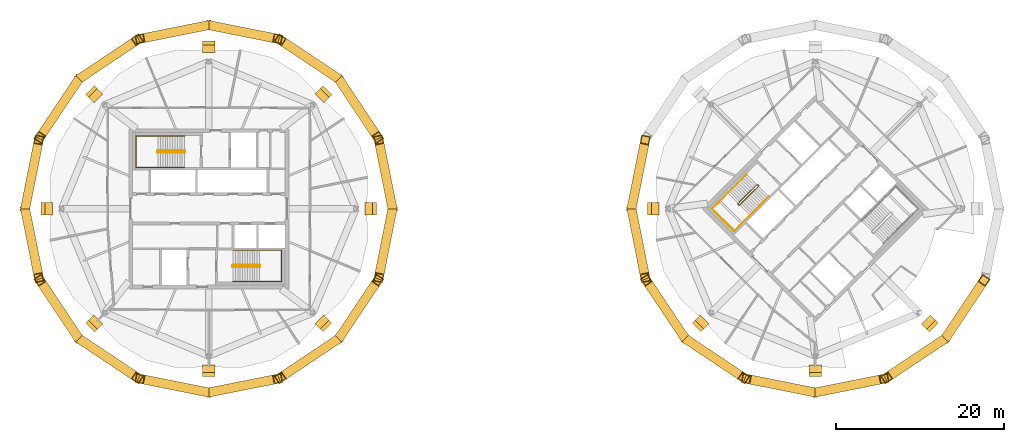
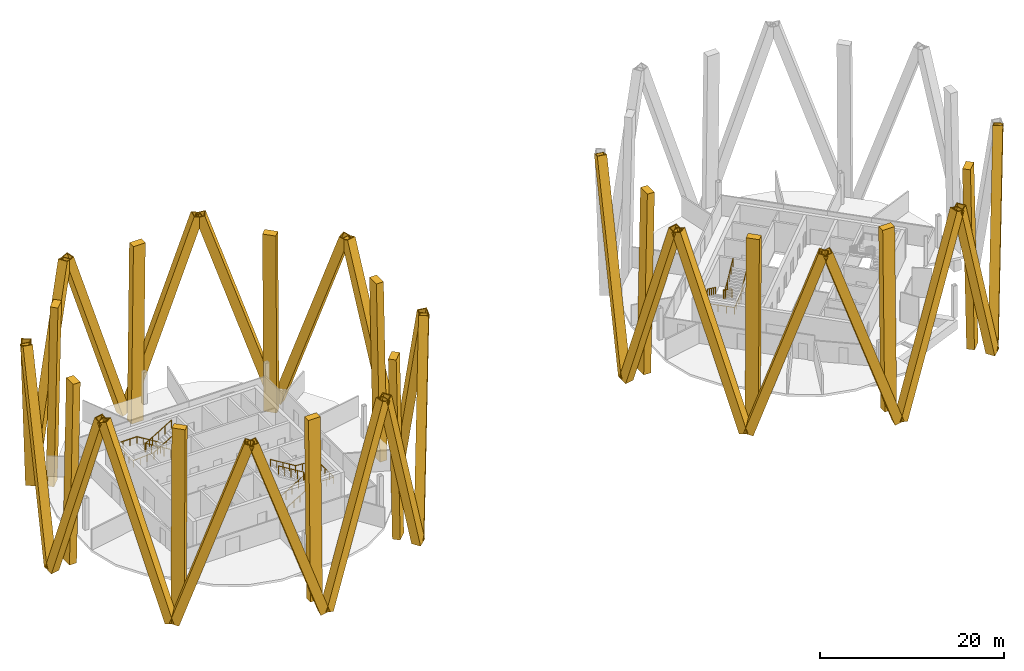
# One storey, part 10 of 11: 36 coverings, 6 railings.
"""IFC4 building model written with IfcOpenShell, lengths in metres."""

from ifc_helpers import new_model, si_unit, direction, frame, origin, origin_2d, place, context, subcontext, project, spatial, rectangle, hollow_rectangle, circle, extrude, material, material_profile, profile_set, type_object, element, save


model = new_model("IFC4")

# Units and contexts
model_context = context("Model", 3, precision=1e-05, world=origin(), true_north=direction((0.0, 1.0)))
body_context = subcontext(model_context, "Body", "Model", "MODEL_VIEW")
ifc_project = project(units=[si_unit("LENGTHUNIT", "METRE"), si_unit("AREAUNIT", "SQUARE_METRE"), si_unit("VOLUMEUNIT", "CUBIC_METRE"), si_unit("PLANEANGLEUNIT", "RADIAN"), si_unit("MASSUNIT", "GRAM", prefix="KILO")], contexts=[model_context])

# Site, building, storey
site_placement = place(None, origin())
site = spatial("IfcSite", under=ifc_project, at=site_placement, CompositionType="ELEMENT")
building_placement = place(site_placement, origin())
building = spatial("IfcBuilding", under=site, at=building_placement, Name="Ogive Gate Towers", CompositionType="ELEMENT")
storey_placement = place(building_placement, frame((0.0, 0.0, 273.0)))
storey = spatial("IfcBuildingStorey", under=building, at=storey_placement, Name="L64", CompositionType="ELEMENT", Elevation=273.0)

# Coverings
ifc_material_1 = material(Name="Pale metal aluminium", Category="aluminium")
ifc_material_profile_1 = material_profile(ifc_material_1, rectangle(XDim=1.5, YDim=0.89990234375, at=origin_2d()), Name="1500 x 900 pale metal aluminium")
ifc_profile_set_1 = profile_set([ifc_material_profile_1], Name="Pale metal aluminium")
covering_type_1 = type_object("IfcCoveringType", Name="Crease colonnette 1500 x 900", PredefinedType="CLADDING", material=ifc_profile_set_1)
for number, where, z_axis, x_axis, name in (
    (1, (-16.52978515625, 0.0, -3.5), (-0.01933269431, 0.0, 0.999813106001), (0.0, -1.0, 0.0), "Crease colonnette"),
    (2, (-22.232666015625, 13.767333984375, -3.5), (-0.01366109034, -0.01366109034, 0.999813357193), (0.707106781187, -0.707106781187, 0.0), "Crease colonnette"),
    (3, (-36.0, 19.47021484375, -3.5), (0.0, -0.01933269431, 0.999813106001), (1.0, 0.0, 0.0), "Crease colonnette"),
    (4, (-49.767333984375, 13.767333984375, -3.5), (0.01366109034, -0.01366109034, 0.999813357193), (0.707106781187, 0.707106781187, 0.0), "Crease colonnette"),
    (5, (-55.47021484375, 0.0, -3.5), (0.01933269431, 0.0, 0.999813106001), (0.0, 1.0, 0.0), "Crease colonnette"),
    (6, (-49.767333984375, -13.767333984375, -3.5), (0.01366109034, 0.01366109034, 0.999813357193), (-0.707106781187, 0.707106781187, 0.0), "Crease colonnette"),
    (7, (-36.0, -19.47021484375, -3.5), (0.0, 0.01933269431, 0.999813106001), (-1.0, 0.0, 0.0), "Crease colonnette"),
    (8, (-22.232666015625, -13.767333984375, -3.5), (-0.01366109034, 0.01366109034, 0.999813357193), (-0.707106781187, -0.707106781187, 0.0), "Crease colonnette"),
    (9, (16.52978515625, 0.0, -3.5), (0.01933269431, 0.0, 0.999813106001), (0.0, 1.0, 0.0), "Crease colonnette"),
    (10, (22.232666015625, -13.767333984375, -3.5), (0.01366109034, 0.01366109034, 0.999813357193), (-0.707106781187, 0.707106781187, 0.0), "Crease colonnette"),
    (11, (36.0, -19.47021484375, -3.5), (0.0, 0.01933269431, 0.999813106001), (-1.0, 0.0, 0.0), "Crease colonnette"),
    (12, (49.767333984375, -13.767333984375, -3.5), (-0.01366109034, 0.01366109034, 0.999813357193), (-0.707106781187, -0.707106781187, 0.0), "Crease colonnette"),
):
    element("IfcCovering", number, at=place(storey_placement, frame(where, z_axis=z_axis, x_axis=x_axis)), inside=storey, type_object=covering_type_1, Name=name, PredefinedType="CLADDING", context=body_context, shape_type="SweptSolid", body=[
        extrude(rectangle(XDim=1.5, YDim=0.89990234375, at=origin_2d()), origin(), (0.0, 0.0, 1.0), 23.804443359375),
    ])
ifc_material_2 = material(Name="Pale metal aluminium cladding", Category="aluminium")
ifc_material_profile_2 = material_profile(ifc_material_2, hollow_rectangle(XDim=1.10009765625, YDim=1.10009765625, WallThickness=0.10009765625, at=origin_2d()), Name="1100 x 1100 pale metal casing")
ifc_profile_set_2 = profile_set([ifc_material_profile_2], Name="Pale metal aluminium cladding")
covering_type_2 = type_object("IfcCoveringType", Name="Diagrid casing 1100 x 1100", PredefinedType="CLADDING", material=ifc_profile_set_2)
for number, where, z_axis, x_axis, name in (
    (13, (-14.224365234375, -0.172607421875, -3.678955078125), (-0.062591350387, -0.313722746741, 0.947449397611), (0.980672661406, -0.195655644365, 0.0), "Diagrid casing"),
    (14, (-14.224365234375, 0.172607421875, -3.678955078125), (-0.062591350387, 0.313722746741, 0.947449397611), (-0.980672661406, -0.195655644365, 0.0), "Diagrid casing"),
    (15, (-20.480224609375, 15.275634765625, -3.678955078125), (0.177576613446, -0.266096822187, 0.947448693903), (0.831792343582, 0.555086927569, 0.0), "Diagrid casing"),
    (16, (-20.724365234375, 15.519775390625, -3.678955078125), (-0.266096822187, 0.177576613446, 0.947448693903), (-0.555086927569, -0.831792343582, 0.0), "Diagrid casing"),
    (17, (-35.827392578125, 21.775634765625, -3.678955078125), (0.313722746741, -0.062591350387, 0.947449397611), (0.195655644365, 0.980672661406, 0.0), "Diagrid casing"),
    (18, (-36.172607421875, 21.775634765625, -3.678955078125), (-0.313722746741, -0.062591350387, 0.947449397611), (0.195655644365, -0.980672661406, 0.0), "Diagrid casing"),
    (19, (-51.275634765625, 15.519775390625, -3.678955078125), (0.266096822187, 0.177576613446, 0.947448693903), (-0.555086927569, 0.831792343582, 0.0), "Diagrid casing"),
    (20, (-51.519775390625, 15.275634765625, -3.678955078125), (-0.177576613446, -0.266096822187, 0.947448693903), (0.831792343582, -0.555086927569, 0.0), "Diagrid casing"),
    (21, (-57.775634765625, 0.172607421875, -3.678955078125), (0.062591350387, 0.313722746741, 0.947449397611), (-0.980672661406, 0.195655644365, 0.0), "Diagrid casing"),
    (22, (-57.775634765625, -0.172607421875, -3.678955078125), (0.062591350387, -0.313722746741, 0.947449397611), (0.980672661406, 0.195655644365, 0.0), "Diagrid casing"),
    (23, (-51.519775390625, -15.275634765625, -3.678955078125), (-0.177576613446, 0.266096822187, 0.947448693903), (-0.831792343582, -0.555086927569, 0.0), "Diagrid casing"),
    (24, (-51.275634765625, -15.519775390625, -3.678955078125), (0.266096822187, -0.177576613446, 0.947448693903), (0.555086927569, 0.831792343582, 0.0), "Diagrid casing"),
    (25, (-36.172607421875, -21.775634765625, -3.678955078125), (-0.313722746741, 0.062591350387, 0.947449397611), (-0.195655644365, -0.980672661406, 0.0), "Diagrid casing"),
    (26, (-35.827392578125, -21.775634765625, -3.678955078125), (0.313722746741, 0.062591350387, 0.947449397611), (-0.195655644365, 0.980672661406, 0.0), "Diagrid casing"),
    (27, (-20.724365234375, -15.519775390625, -3.678955078125), (-0.266096822187, -0.177576613446, 0.947448693903), (0.555086927569, -0.831792343582, 0.0), "Diagrid casing"),
    (28, (-20.480224609375, -15.275634765625, -3.678955078125), (0.177576613446, 0.266096822187, 0.947448693903), (-0.831792343582, 0.555086927569, 0.0), "Diagrid casing"),
    (29, (14.224365234375, 0.172607421875, -3.678955078125), (0.062591350387, 0.313722746741, 0.947449397611), (-0.980672661406, 0.195655644365, 0.0), "Diagrid casing"),
    (30, (14.224365234375, -0.172607421875, -3.678955078125), (0.062591350387, -0.313722746741, 0.947449397611), (0.980672661406, 0.195655644365, 0.0), "Diagrid casing"),
    (31, (20.480224609375, -15.275634765625, -3.678955078125), (-0.177576613446, 0.266096822187, 0.947448693903), (-0.831792343582, -0.555086927569, 0.0), "Diagrid casing"),
    (32, (20.724365234375, -15.519775390625, -3.678955078125), (0.266096822187, -0.177576613446, 0.947448693903), (0.555086927569, 0.831792343582, 0.0), "Diagrid casing"),
    (33, (35.827392578125, -21.775634765625, -3.678955078125), (-0.313722746741, 0.062591350387, 0.947449397611), (-0.195655644365, -0.980672661406, 0.0), "Diagrid casing"),
    (34, (36.172607421875, -21.775634765625, -3.678955078125), (0.313722746741, 0.062591350387, 0.947449397611), (-0.195655644365, 0.980672661406, 0.0), "Diagrid casing"),
    (35, (51.275634765625, -15.519775390625, -3.678955078125), (-0.266096822187, -0.177576613446, 0.947448693903), (0.555086927569, -0.831792343582, 0.0), "Diagrid casing"),
    (36, (51.519775390625, -15.275634765625, -3.678955078125), (0.177576613446, 0.266096822187, 0.947448693903), (-0.831792343582, 0.555086927569, 0.0), "Diagrid casing"),
):
    element("IfcCovering", number, at=place(storey_placement, frame(where, z_axis=z_axis, x_axis=x_axis)), inside=storey, type_object=covering_type_2, Name=name, PredefinedType="CLADDING", context=body_context, shape_type="SweptSolid", body=[
        extrude(hollow_rectangle(XDim=1.10009765625, YDim=1.10009765625, WallThickness=0.10009765625, at=origin_2d()), origin(), (0.0, 0.0, 1.0), 25.497802734375),
    ])

# Railings
ifc_material_3 = material(Name="Stainless steel", Category="steel")
railing_type_1 = type_object("IfcRailingType", Name="Stair guard 1100", PredefinedType="GUARDRAIL", material=ifc_material_3)
railing_1_placement = place(storey_placement, frame((-38.81494140625, 6.860107421875, 0.0)))
element("IfcRailing", 37, at=railing_1_placement, inside=storey, type_object=railing_type_1, Name="L64 ST1 stair guard 1", PredefinedType="GUARDRAIL", context=body_context, shape_type="SweptSolid", body=[
    extrude(circle(Radius=0.02392578125, at=origin_2d()), frame((0.0, 0.0, 1.076171875), z_axis=(0.0, -1.0, 0.0), x_axis=(1.0, 0.0, 0.0)), (0.0, 0.0, 1.0), 0.14501953125),
    extrude(circle(Radius=0.02392578125, at=origin_2d()), frame((0.0, -0.14501953125, 1.076171875), z_axis=(-0.187693211448, 0.730630159683, 0.656468451746), x_axis=(-0.968551454522, -0.24881334358, 0.0)), (0.0, 0.0, 1.0), 0.2666015625),
    extrude(circle(Radius=0.02392578125, at=origin_2d()), frame((-0.050048828125, 0.0498046875, 1.2509765625), z_axis=(-0.854199828955, 0.0, 0.519944854973), x_axis=(0.0, -1.0, 0.0)), (0.0, 0.0, 1.0), 3.702392578125),
    extrude(circle(Radius=0.02392578125, at=origin_2d()), frame((-3.212646484375, 0.0498046875, 3.17626953125), z_axis=(-0.707106781187, -0.707106781187, 0.0), x_axis=(0.707106781187, -0.707106781187, 0.0)), (0.0, 0.0, 1.0), 0.0703125),
    extrude(circle(Radius=0.02392578125, at=origin_2d()), frame((-3.262451171875, 0.0, 3.17626953125), z_axis=(0.0, -1.0, 0.0), x_axis=(1.0, 0.0, 0.0)), (0.0, 0.0, 1.0), 0.14501953125),
    extrude(circle(Radius=0.02392578125, at=origin_2d()), frame((-3.262451171875, -0.14501953125, 3.17626953125), z_axis=(0.264179342666, -0.265474339444, 0.927217692888), x_axis=(0.708833529934, 0.705375805398, 0.0)), (0.0, 0.0, 1.0), 0.1884765625),
    extrude(circle(Radius=0.02392578125, at=origin_2d()), frame((-3.212646484375, -0.195068359375, 3.35107421875), z_axis=(0.854199828955, 0.0, 0.519944854973), x_axis=(0.0, 1.0, 0.0)), (0.0, 0.0, 1.0), 3.702392578125),
    extrude(circle(Radius=0.02099609375, at=origin_2d()), origin(), (0.0, 0.0, 1.0), 1.052001953125),
    extrude(circle(Radius=0.02099609375, at=origin_2d()), frame((0.0, -0.14501953125, 0.0)), (0.0, 0.0, 1.0), 1.052001953125),
    extrude(circle(Radius=0.02099609375, at=origin_2d()), frame((-0.050048828125, 0.0498046875, 0.175048828125)), (0.0, 0.0, 1.0), 1.052001953125),
    extrude(circle(Radius=0.02099609375, at=origin_2d()), frame((-0.8408203125, 0.0498046875, 0.65625)), (0.0, 0.0, 1.0), 1.052001953125),
    extrude(circle(Radius=0.02099609375, at=origin_2d()), frame((-1.63134765625, 0.0498046875, 1.1376953125)), (0.0, 0.0, 1.0), 1.052001953125),
    extrude(circle(Radius=0.02099609375, at=origin_2d()), frame((-2.421875, 0.0498046875, 1.618896484375)), (0.0, 0.0, 1.0), 1.052001953125),
    extrude(circle(Radius=0.02099609375, at=origin_2d()), frame((-3.212646484375, 0.0498046875, 2.10009765625)), (0.0, 0.0, 1.0), 1.052001953125),
    extrude(circle(Radius=0.02099609375, at=origin_2d()), frame((-3.262451171875, 0.0, 2.10009765625)), (0.0, 0.0, 1.0), 1.052001953125),
    extrude(circle(Radius=0.02099609375, at=origin_2d()), frame((-3.262451171875, -0.14501953125, 2.10009765625)), (0.0, 0.0, 1.0), 1.052001953125),
    extrude(circle(Radius=0.02099609375, at=origin_2d()), frame((-3.212646484375, -0.195068359375, 2.27490234375)), (0.0, 0.0, 1.0), 1.052001953125),
    extrude(circle(Radius=0.02099609375, at=origin_2d()), frame((-2.421875, -0.195068359375, 2.756103515625)), (0.0, 0.0, 1.0), 1.052001953125),
    extrude(circle(Radius=0.02099609375, at=origin_2d()), frame((-1.63134765625, -0.195068359375, 3.2373046875)), (0.0, 0.0, 1.0), 1.052001953125),
    extrude(circle(Radius=0.02099609375, at=origin_2d()), frame((-0.8408203125, -0.195068359375, 3.71875)), (0.0, 0.0, 1.0), 1.052001953125),
    extrude(circle(Radius=0.02099609375, at=origin_2d()), frame((-0.050048828125, -0.195068359375, 4.199951171875)), (0.0, 0.0, 1.0), 1.052001953125),
])
railing_2_placement = place(storey_placement, frame((-33.18505859375, -6.860107421875, 0.0)))
element("IfcRailing", 38, at=railing_2_placement, inside=storey, type_object=railing_type_1, Name="L64 ST2 stair guard 1", PredefinedType="GUARDRAIL", context=body_context, shape_type="SweptSolid", body=[
    extrude(circle(Radius=0.02392578125, at=origin_2d()), frame((0.0, 0.0, 1.076171875), z_axis=(0.0, 1.0, 0.0), x_axis=(-1.0, 0.0, 0.0)), (0.0, 0.0, 1.0), 0.14501953125),
    extrude(circle(Radius=0.02392578125, at=origin_2d()), frame((0.0, 0.14501953125, 1.076171875), z_axis=(0.187693211448, -0.730630159683, 0.656468451746), x_axis=(0.968551454522, 0.24881334358, 0.0)), (0.0, 0.0, 1.0), 0.2666015625),
    extrude(circle(Radius=0.02392578125, at=origin_2d()), frame((0.050048828125, -0.0498046875, 1.2509765625), z_axis=(0.854199828955, 0.0, 0.519944854973), x_axis=(0.0, 1.0, 0.0)), (0.0, 0.0, 1.0), 3.702392578125),
    extrude(circle(Radius=0.02392578125, at=origin_2d()), frame((3.212646484375, -0.0498046875, 3.17626953125), z_axis=(0.707106781187, 0.707106781187, 0.0), x_axis=(-0.707106781187, 0.707106781187, 0.0)), (0.0, 0.0, 1.0), 0.0703125),
    extrude(circle(Radius=0.02392578125, at=origin_2d()), frame((3.262451171875, 0.0, 3.17626953125), z_axis=(0.0, 1.0, 0.0), x_axis=(-1.0, 0.0, 0.0)), (0.0, 0.0, 1.0), 0.14501953125),
    extrude(circle(Radius=0.02392578125, at=origin_2d()), frame((3.262451171875, 0.14501953125, 3.17626953125), z_axis=(-0.264179342666, 0.265474339444, 0.927217692888), x_axis=(-0.708833529934, -0.705375805398, 0.0)), (0.0, 0.0, 1.0), 0.1884765625),
    extrude(circle(Radius=0.02392578125, at=origin_2d()), frame((3.212646484375, 0.195068359375, 3.35107421875), z_axis=(-0.854199828955, 0.0, 0.519944854973), x_axis=(0.0, -1.0, 0.0)), (0.0, 0.0, 1.0), 3.702392578125),
    extrude(circle(Radius=0.02099609375, at=origin_2d()), origin(), (0.0, 0.0, 1.0), 1.052001953125),
    extrude(circle(Radius=0.02099609375, at=origin_2d()), frame((0.0, 0.14501953125, 0.0)), (0.0, 0.0, 1.0), 1.052001953125),
    extrude(circle(Radius=0.02099609375, at=origin_2d()), frame((0.050048828125, -0.0498046875, 0.175048828125)), (0.0, 0.0, 1.0), 1.052001953125),
    extrude(circle(Radius=0.02099609375, at=origin_2d()), frame((0.8408203125, -0.0498046875, 0.65625)), (0.0, 0.0, 1.0), 1.052001953125),
    extrude(circle(Radius=0.02099609375, at=origin_2d()), frame((1.63134765625, -0.0498046875, 1.1376953125)), (0.0, 0.0, 1.0), 1.052001953125),
    extrude(circle(Radius=0.02099609375, at=origin_2d()), frame((2.421875, -0.0498046875, 1.618896484375)), (0.0, 0.0, 1.0), 1.052001953125),
    extrude(circle(Radius=0.02099609375, at=origin_2d()), frame((3.212646484375, -0.0498046875, 2.10009765625)), (0.0, 0.0, 1.0), 1.052001953125),
    extrude(circle(Radius=0.02099609375, at=origin_2d()), frame((3.262451171875, 0.0, 2.10009765625)), (0.0, 0.0, 1.0), 1.052001953125),
    extrude(circle(Radius=0.02099609375, at=origin_2d()), frame((3.262451171875, 0.14501953125, 2.10009765625)), (0.0, 0.0, 1.0), 1.052001953125),
    extrude(circle(Radius=0.02099609375, at=origin_2d()), frame((3.212646484375, 0.195068359375, 2.27490234375)), (0.0, 0.0, 1.0), 1.052001953125),
    extrude(circle(Radius=0.02099609375, at=origin_2d()), frame((2.421875, 0.195068359375, 2.756103515625)), (0.0, 0.0, 1.0), 1.052001953125),
    extrude(circle(Radius=0.02099609375, at=origin_2d()), frame((1.63134765625, 0.195068359375, 3.2373046875)), (0.0, 0.0, 1.0), 1.052001953125),
    extrude(circle(Radius=0.02099609375, at=origin_2d()), frame((0.8408203125, 0.195068359375, 3.71875)), (0.0, 0.0, 1.0), 1.052001953125),
    extrude(circle(Radius=0.02099609375, at=origin_2d()), frame((0.050048828125, 0.195068359375, 4.199951171875)), (0.0, 0.0, 1.0), 1.052001953125),
])
railing_3_placement = place(storey_placement, frame((29.15869140625, 2.8603515625, 0.0)))
element("IfcRailing", 39, at=railing_3_placement, inside=storey, type_object=railing_type_1, Name="L64 ST1 stair guard 1", PredefinedType="GUARDRAIL", context=body_context, shape_type="SweptSolid", body=[
    extrude(circle(Radius=0.02392578125, at=origin_2d()), frame((0.0, 0.0, 1.076171875), z_axis=(0.707106781187, -0.707106781187, 0.0), x_axis=(0.707106781187, 0.707106781187, 0.0)), (0.0, 0.0, 1.0), 0.14501953125),
    extrude(circle(Radius=0.02392578125, at=origin_2d()), frame((0.1025390625, -0.1025390625, 1.076171875), z_axis=(-0.649075284728, 0.384501579105, 0.65639912433), x_axis=(-0.509669330572, -0.860370369942, 0.0)), (0.0, 0.0, 1.0), 0.2666015625),
    extrude(circle(Radius=0.02392578125, at=origin_2d()), frame((-0.070556640625, 0.0, 1.2509765625), z_axis=(-0.604012965068, -0.604012965068, 0.519939108031), x_axis=(0.707106781187, -0.707106781187, 0.0)), (0.0, 0.0, 1.0), 3.702392578125),
    extrude(circle(Radius=0.02392578125, at=origin_2d()), frame((-2.306884765625, -2.236328125, 3.17626953125), z_axis=(0.0, -1.0, 0.0), x_axis=(1.0, 0.0, 0.0)), (0.0, 0.0, 1.0), 0.07080078125),
    extrude(circle(Radius=0.02392578125, at=origin_2d()), frame((-2.306884765625, -2.30712890625, 3.17626953125), z_axis=(0.707106781187, -0.707106781187, 0.0), x_axis=(0.707106781187, 0.707106781187, 0.0)), (0.0, 0.0, 1.0), 0.14501953125),
    extrude(circle(Radius=0.02392578125, at=origin_2d()), frame((-2.204345703125, -2.40966796875, 3.17626953125), z_axis=(0.375404609379, 0.0, 0.92686103557), x_axis=(0.0, 1.0, 0.0)), (0.0, 0.0, 1.0), 0.1884765625),
    extrude(circle(Radius=0.02392578125, at=origin_2d()), frame((-2.133544921875, -2.40966796875, 3.35107421875), z_axis=(0.603971079388, 0.604037022294, 0.51995981668), x_axis=(-0.707145379772, 0.707068180494, 0.0)), (0.0, 0.0, 1.0), 3.702392578125),
    extrude(circle(Radius=0.02099609375, at=origin_2d()), origin(), (0.0, 0.0, 1.0), 1.052001953125),
    extrude(circle(Radius=0.02099609375, at=origin_2d()), frame((0.1025390625, -0.1025390625, 0.0)), (0.0, 0.0, 1.0), 1.052001953125),
    extrude(circle(Radius=0.02099609375, at=origin_2d()), frame((-0.070556640625, 0.0, 0.175048828125)), (0.0, 0.0, 1.0), 1.052001953125),
    extrude(circle(Radius=0.02099609375, at=origin_2d()), frame((-0.629638671875, -0.55908203125, 0.65625)), (0.0, 0.0, 1.0), 1.052001953125),
    extrude(circle(Radius=0.02099609375, at=origin_2d()), frame((-1.188720703125, -1.1181640625, 1.1376953125)), (0.0, 0.0, 1.0), 1.052001953125),
    extrude(circle(Radius=0.02099609375, at=origin_2d()), frame((-1.747802734375, -1.67724609375, 1.618896484375)), (0.0, 0.0, 1.0), 1.052001953125),
    extrude(circle(Radius=0.02099609375, at=origin_2d()), frame((-2.306884765625, -2.236328125, 2.10009765625)), (0.0, 0.0, 1.0), 1.052001953125),
    extrude(circle(Radius=0.02099609375, at=origin_2d()), frame((-2.306884765625, -2.30712890625, 2.10009765625)), (0.0, 0.0, 1.0), 1.052001953125),
    extrude(circle(Radius=0.02099609375, at=origin_2d()), frame((-2.204345703125, -2.40966796875, 2.10009765625)), (0.0, 0.0, 1.0), 1.052001953125),
    extrude(circle(Radius=0.02099609375, at=origin_2d()), frame((-2.133544921875, -2.40966796875, 2.27490234375)), (0.0, 0.0, 1.0), 1.052001953125),
    extrude(circle(Radius=0.02099609375, at=origin_2d()), frame((-1.574462890625, -1.8505859375, 2.756103515625)), (0.0, 0.0, 1.0), 1.052001953125),
    extrude(circle(Radius=0.02099609375, at=origin_2d()), frame((-1.015625, -1.29150390625, 3.2373046875)), (0.0, 0.0, 1.0), 1.052001953125),
    extrude(circle(Radius=0.02099609375, at=origin_2d()), frame((-0.45654296875, -0.732421875, 3.71875)), (0.0, 0.0, 1.0), 1.052001953125),
    extrude(circle(Radius=0.02099609375, at=origin_2d()), frame((0.1025390625, -0.17333984375, 4.199951171875)), (0.0, 0.0, 1.0), 1.052001953125),
])
railing_type_2 = type_object("IfcRailingType", Name="Stair handrail 900", PredefinedType="HANDRAIL", material=ifc_material_3)
railing_4_placement = place(storey_placement, frame((-38.864990234375, 8.64990234375, 0.175048828125)))
element("IfcRailing", 40, at=railing_4_placement, inside=storey, type_object=railing_type_2, Name="L64 ST1 stair handrail 1", PredefinedType="HANDRAIL", context=body_context, shape_type="SweptSolid", body=[
    extrude(circle(Radius=0.02392578125, at=origin_2d()), frame((0.0, 0.0, 0.8759765625), z_axis=(-0.854199828955, 0.0, 0.519944854973), x_axis=(0.0, -1.0, 0.0)), (0.0, 0.0, 1.0), 3.702392578125),
    extrude(circle(Radius=0.02392578125, at=origin_2d()), frame((-3.16259765625, 0.0, 2.80078125), z_axis=(-1.0, 0.0, 0.0), x_axis=(0.0, -1.0, 0.0)), (0.0, 0.0, 1.0), 2.622314453125),
    extrude(circle(Radius=0.02392578125, at=origin_2d()), frame((-5.784912109375, 0.0, 2.80078125), z_axis=(0.0, -1.0, 0.0), x_axis=(1.0, 0.0, 0.0)), (0.0, 0.0, 1.0), 3.724853515625),
    extrude(circle(Radius=0.02392578125, at=origin_2d()), frame((-5.784912109375, -3.724853515625, 2.80078125), z_axis=(0.997785568878, 0.0, 0.066512844923), x_axis=(0.0, 1.0, 0.0)), (0.0, 0.0, 1.0), 2.628173828125),
    extrude(circle(Radius=0.02392578125, at=origin_2d()), frame((-3.16259765625, -3.724853515625, 2.9755859375), z_axis=(0.854199828955, 0.0, 0.519944854973), x_axis=(0.0, 1.0, 0.0)), (0.0, 0.0, 1.0), 3.702392578125),
    extrude(circle(Radius=0.02099609375, at=origin_2d()), origin(), (0.0, 0.0, 1.0), 0.851806640625),
    extrude(circle(Radius=0.02099609375, at=origin_2d()), frame((-0.79052734375, 0.0, 0.481201171875)), (0.0, 0.0, 1.0), 0.851806640625),
    extrude(circle(Radius=0.02099609375, at=origin_2d()), frame((-1.581298828125, 0.0, 0.96240234375)), (0.0, 0.0, 1.0), 0.851806640625),
    extrude(circle(Radius=0.02099609375, at=origin_2d()), frame((-2.3720703125, 0.0, 1.44384765625)), (0.0, 0.0, 1.0), 0.851806640625),
    extrude(circle(Radius=0.02099609375, at=origin_2d()), frame((-3.16259765625, 0.0, 1.925048828125)), (0.0, 0.0, 1.0), 0.851806640625),
    extrude(circle(Radius=0.02099609375, at=origin_2d()), frame((-4.03662109375, 0.0, 1.925048828125)), (0.0, 0.0, 1.0), 0.851806640625),
    extrude(circle(Radius=0.02099609375, at=origin_2d()), frame((-4.910888671875, 0.0, 1.925048828125)), (0.0, 0.0, 1.0), 0.851806640625),
    extrude(circle(Radius=0.02099609375, at=origin_2d()), frame((-5.784912109375, 0.0, 1.925048828125)), (0.0, 0.0, 1.0), 0.851806640625),
    extrude(circle(Radius=0.02099609375, at=origin_2d()), frame((-5.784912109375, -0.93115234375, 1.925048828125)), (0.0, 0.0, 1.0), 0.851806640625),
    extrude(circle(Radius=0.02099609375, at=origin_2d()), frame((-5.784912109375, -1.8623046875, 1.925048828125)), (0.0, 0.0, 1.0), 0.851806640625),
    extrude(circle(Radius=0.02099609375, at=origin_2d()), frame((-5.784912109375, -2.793701171875, 1.925048828125)), (0.0, 0.0, 1.0), 0.851806640625),
    extrude(circle(Radius=0.02099609375, at=origin_2d()), frame((-5.784912109375, -3.724853515625, 1.925048828125)), (0.0, 0.0, 1.0), 0.851806640625),
    extrude(circle(Radius=0.02099609375, at=origin_2d()), frame((-4.910888671875, -3.724853515625, 1.9833984375)), (0.0, 0.0, 1.0), 0.851806640625),
    extrude(circle(Radius=0.02099609375, at=origin_2d()), frame((-4.03662109375, -3.724853515625, 2.04150390625)), (0.0, 0.0, 1.0), 0.851806640625),
    extrude(circle(Radius=0.02099609375, at=origin_2d()), frame((-3.16259765625, -3.724853515625, 2.099853515625)), (0.0, 0.0, 1.0), 0.851806640625),
    extrude(circle(Radius=0.02099609375, at=origin_2d()), frame((-2.3720703125, -3.724853515625, 2.5810546875)), (0.0, 0.0, 1.0), 0.851806640625),
    extrude(circle(Radius=0.02099609375, at=origin_2d()), frame((-1.581298828125, -3.724853515625, 3.0625)), (0.0, 0.0, 1.0), 0.851806640625),
    extrude(circle(Radius=0.02099609375, at=origin_2d()), frame((-0.79052734375, -3.724853515625, 3.543701171875)), (0.0, 0.0, 1.0), 0.851806640625),
    extrude(circle(Radius=0.02099609375, at=origin_2d()), frame((0.0, -3.724853515625, 4.02490234375)), (0.0, 0.0, 1.0), 0.851806640625),
])
railing_5_placement = place(storey_placement, frame((-33.135009765625, -8.64990234375, 0.175048828125)))
element("IfcRailing", 41, at=railing_5_placement, inside=storey, type_object=railing_type_2, Name="L64 ST2 stair handrail 1", PredefinedType="HANDRAIL", context=body_context, shape_type="SweptSolid", body=[
    extrude(circle(Radius=0.02392578125, at=origin_2d()), frame((0.0, 0.0, 0.8759765625), z_axis=(0.854199828955, 0.0, 0.519944854973), x_axis=(0.0, 1.0, 0.0)), (0.0, 0.0, 1.0), 3.702392578125),
    extrude(circle(Radius=0.02392578125, at=origin_2d()), frame((3.16259765625, 0.0, 2.80078125), z_axis=(1.0, 0.0, 0.0), x_axis=(0.0, 1.0, 0.0)), (0.0, 0.0, 1.0), 2.622314453125),
    extrude(circle(Radius=0.02392578125, at=origin_2d()), frame((5.784912109375, 0.0, 2.80078125), z_axis=(0.0, 1.0, 0.0), x_axis=(-1.0, 0.0, 0.0)), (0.0, 0.0, 1.0), 3.724853515625),
    extrude(circle(Radius=0.02392578125, at=origin_2d()), frame((5.784912109375, 3.724853515625, 2.80078125), z_axis=(-0.997785568878, 0.0, 0.066512844923), x_axis=(0.0, -1.0, 0.0)), (0.0, 0.0, 1.0), 2.628173828125),
    extrude(circle(Radius=0.02392578125, at=origin_2d()), frame((3.16259765625, 3.724853515625, 2.9755859375), z_axis=(-0.854199828955, 0.0, 0.519944854973), x_axis=(0.0, -1.0, 0.0)), (0.0, 0.0, 1.0), 3.702392578125),
    extrude(circle(Radius=0.02099609375, at=origin_2d()), origin(), (0.0, 0.0, 1.0), 0.851806640625),
    extrude(circle(Radius=0.02099609375, at=origin_2d()), frame((0.79052734375, 0.0, 0.481201171875)), (0.0, 0.0, 1.0), 0.851806640625),
    extrude(circle(Radius=0.02099609375, at=origin_2d()), frame((1.581298828125, 0.0, 0.96240234375)), (0.0, 0.0, 1.0), 0.851806640625),
    extrude(circle(Radius=0.02099609375, at=origin_2d()), frame((2.3720703125, 0.0, 1.44384765625)), (0.0, 0.0, 1.0), 0.851806640625),
    extrude(circle(Radius=0.02099609375, at=origin_2d()), frame((3.16259765625, 0.0, 1.925048828125)), (0.0, 0.0, 1.0), 0.851806640625),
    extrude(circle(Radius=0.02099609375, at=origin_2d()), frame((4.03662109375, 0.0, 1.925048828125)), (0.0, 0.0, 1.0), 0.851806640625),
    extrude(circle(Radius=0.02099609375, at=origin_2d()), frame((4.910888671875, 0.0, 1.925048828125)), (0.0, 0.0, 1.0), 0.851806640625),
    extrude(circle(Radius=0.02099609375, at=origin_2d()), frame((5.784912109375, 0.0, 1.925048828125)), (0.0, 0.0, 1.0), 0.851806640625),
    extrude(circle(Radius=0.02099609375, at=origin_2d()), frame((5.784912109375, 0.93115234375, 1.925048828125)), (0.0, 0.0, 1.0), 0.851806640625),
    extrude(circle(Radius=0.02099609375, at=origin_2d()), frame((5.784912109375, 1.8623046875, 1.925048828125)), (0.0, 0.0, 1.0), 0.851806640625),
    extrude(circle(Radius=0.02099609375, at=origin_2d()), frame((5.784912109375, 2.793701171875, 1.925048828125)), (0.0, 0.0, 1.0), 0.851806640625),
    extrude(circle(Radius=0.02099609375, at=origin_2d()), frame((5.784912109375, 3.724853515625, 1.925048828125)), (0.0, 0.0, 1.0), 0.851806640625),
    extrude(circle(Radius=0.02099609375, at=origin_2d()), frame((4.910888671875, 3.724853515625, 1.9833984375)), (0.0, 0.0, 1.0), 0.851806640625),
    extrude(circle(Radius=0.02099609375, at=origin_2d()), frame((4.03662109375, 3.724853515625, 2.04150390625)), (0.0, 0.0, 1.0), 0.851806640625),
    extrude(circle(Radius=0.02099609375, at=origin_2d()), frame((3.16259765625, 3.724853515625, 2.099853515625)), (0.0, 0.0, 1.0), 0.851806640625),
    extrude(circle(Radius=0.02099609375, at=origin_2d()), frame((2.3720703125, 3.724853515625, 2.5810546875)), (0.0, 0.0, 1.0), 0.851806640625),
    extrude(circle(Radius=0.02099609375, at=origin_2d()), frame((1.581298828125, 3.724853515625, 3.0625)), (0.0, 0.0, 1.0), 0.851806640625),
    extrude(circle(Radius=0.02099609375, at=origin_2d()), frame((0.79052734375, 3.724853515625, 3.543701171875)), (0.0, 0.0, 1.0), 0.851806640625),
    extrude(circle(Radius=0.02099609375, at=origin_2d()), frame((0.0, 3.724853515625, 4.02490234375)), (0.0, 0.0, 1.0), 0.851806640625),
])
railing_6_placement = place(storey_placement, frame((27.857666015625, 4.090576171875, 0.175048828125)))
element("IfcRailing", 42, at=railing_6_placement, inside=storey, type_object=railing_type_2, Name="L64 ST1 stair handrail 1", PredefinedType="HANDRAIL", context=body_context, shape_type="SweptSolid", body=[
    extrude(circle(Radius=0.02392578125, at=origin_2d()), frame((0.0, 0.0, 0.8759765625), z_axis=(-0.604037022294, -0.603971079388, 0.51995981668), x_axis=(0.707068180494, -0.707145379772, 0.0)), (0.0, 0.0, 1.0), 3.702392578125),
    extrude(circle(Radius=0.02392578125, at=origin_2d()), frame((-2.236328125, -2.236083984375, 2.80078125), z_axis=(-0.70706023191, -0.707153327399, 0.0), x_axis=(0.707153327399, -0.70706023191, 0.0)), (0.0, 0.0, 1.0), 2.62255859375),
    extrude(circle(Radius=0.02392578125, at=origin_2d()), frame((-4.090576171875, -4.090576171875, 2.80078125), z_axis=(0.707106781187, -0.707106781187, 0.0), x_axis=(0.707106781187, 0.707106781187, 0.0)), (0.0, 0.0, 1.0), 3.72509765625),
    extrude(circle(Radius=0.02392578125, at=origin_2d()), frame((-1.45654296875, -6.724609375, 2.80078125), z_axis=(0.705494687239, 0.705587576599, 0.066508781575), x_axis=(-0.707153327399, 0.70706023191, 0.0)), (0.0, 0.0, 1.0), 2.628173828125),
    extrude(circle(Radius=0.02392578125, at=origin_2d()), frame((0.397705078125, -4.8701171875, 2.9755859375), z_axis=(0.604037022294, 0.603971079388, 0.51995981668), x_axis=(-0.707068180494, 0.707145379772, 0.0)), (0.0, 0.0, 1.0), 3.702392578125),
    extrude(circle(Radius=0.02099609375, at=origin_2d()), origin(), (0.0, 0.0, 1.0), 0.851806640625),
    extrude(circle(Radius=0.02099609375, at=origin_2d()), frame((-0.55908203125, -0.55908203125, 0.481201171875)), (0.0, 0.0, 1.0), 0.851806640625),
    extrude(circle(Radius=0.02099609375, at=origin_2d()), frame((-1.1181640625, -1.1181640625, 0.96240234375)), (0.0, 0.0, 1.0), 0.851806640625),
    extrude(circle(Radius=0.02099609375, at=origin_2d()), frame((-1.67724609375, -1.677001953125, 1.44384765625)), (0.0, 0.0, 1.0), 0.851806640625),
    extrude(circle(Radius=0.02099609375, at=origin_2d()), frame((-2.236328125, -2.236083984375, 1.925048828125)), (0.0, 0.0, 1.0), 0.851806640625),
    extrude(circle(Radius=0.02099609375, at=origin_2d()), frame((-2.8544921875, -2.854248046875, 1.925048828125)), (0.0, 0.0, 1.0), 0.851806640625),
    extrude(circle(Radius=0.02099609375, at=origin_2d()), frame((-3.472412109375, -3.472412109375, 1.925048828125)), (0.0, 0.0, 1.0), 0.851806640625),
    extrude(circle(Radius=0.02099609375, at=origin_2d()), frame((-4.090576171875, -4.090576171875, 1.925048828125)), (0.0, 0.0, 1.0), 0.851806640625),
    extrude(circle(Radius=0.02099609375, at=origin_2d()), frame((-3.43212890625, -4.7490234375, 1.925048828125)), (0.0, 0.0, 1.0), 0.851806640625),
    extrude(circle(Radius=0.02099609375, at=origin_2d()), frame((-2.7734375, -5.40771484375, 1.925048828125)), (0.0, 0.0, 1.0), 0.851806640625),
    extrude(circle(Radius=0.02099609375, at=origin_2d()), frame((-2.114990234375, -6.066162109375, 1.925048828125)), (0.0, 0.0, 1.0), 0.851806640625),
    extrude(circle(Radius=0.02099609375, at=origin_2d()), frame((-1.45654296875, -6.724609375, 1.925048828125)), (0.0, 0.0, 1.0), 0.851806640625),
    extrude(circle(Radius=0.02099609375, at=origin_2d()), frame((-0.83837890625, -6.1064453125, 1.9833984375)), (0.0, 0.0, 1.0), 0.851806640625),
    extrude(circle(Radius=0.02099609375, at=origin_2d()), frame((-0.220458984375, -5.48828125, 2.04150390625)), (0.0, 0.0, 1.0), 0.851806640625),
    extrude(circle(Radius=0.02099609375, at=origin_2d()), frame((0.397705078125, -4.8701171875, 2.099853515625)), (0.0, 0.0, 1.0), 0.851806640625),
    extrude(circle(Radius=0.02099609375, at=origin_2d()), frame((0.956787109375, -4.31103515625, 2.5810546875)), (0.0, 0.0, 1.0), 0.851806640625),
    extrude(circle(Radius=0.02099609375, at=origin_2d()), frame((1.515869140625, -3.751953125, 3.0625)), (0.0, 0.0, 1.0), 0.851806640625),
    extrude(circle(Radius=0.02099609375, at=origin_2d()), frame((2.074951171875, -3.193115234375, 3.543701171875)), (0.0, 0.0, 1.0), 0.851806640625),
    extrude(circle(Radius=0.02099609375, at=origin_2d()), frame((2.634033203125, -2.634033203125, 4.02490234375)), (0.0, 0.0, 1.0), 0.851806640625),
])

save(model, "model.ifc")
